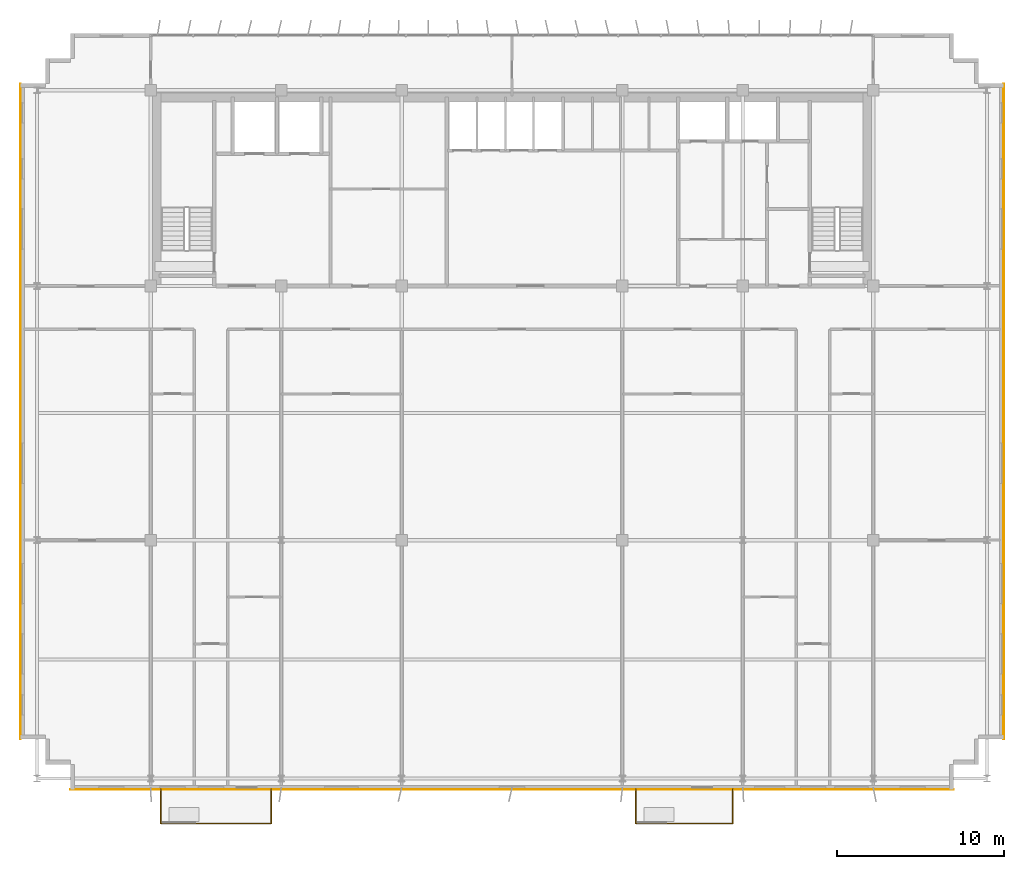
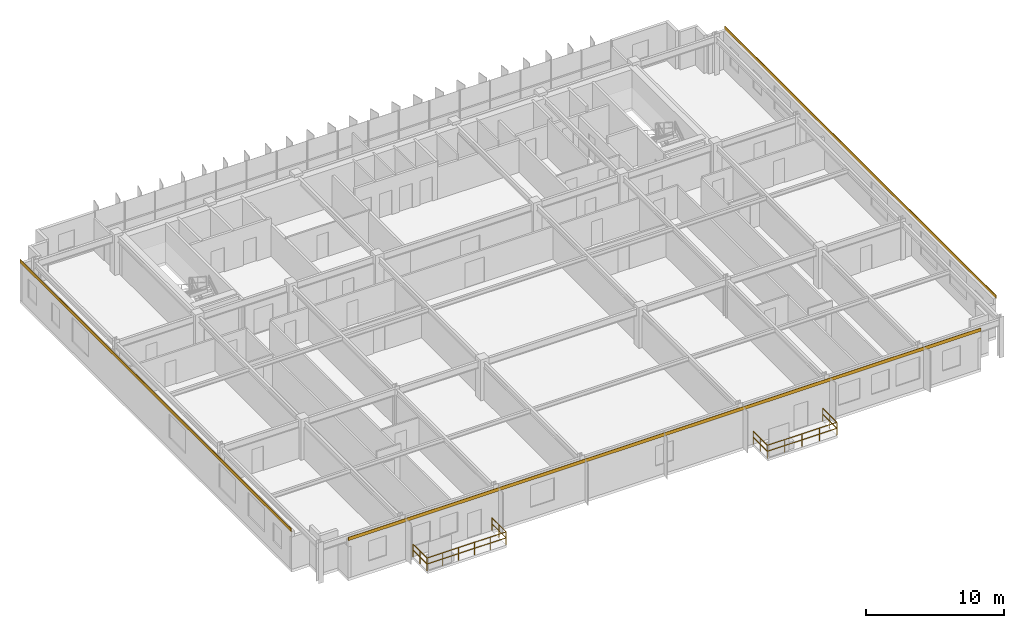
# One storey, part 19 of 20: 6 railings, 3 coverings.
"""IFC4 building model written with IfcOpenShell, lengths in metres."""

from ifc_helpers import new_model, si_unit, direction, frame, origin, origin_2d, place, context, subcontext, project, spatial, rectangle, extrude, source, transform, mapped, material, layer, layer_set, type_object, element, save


model = new_model("IFC4")

# Units and contexts
model_context = context("Model", 3, precision=1e-05, world=origin(), true_north=direction((0.0, 1.0)))
body_context = subcontext(model_context, "Body", "Model", "MODEL_VIEW")
ifc_project = project(units=[si_unit("LENGTHUNIT", "METRE"), si_unit("AREAUNIT", "SQUARE_METRE"), si_unit("VOLUMEUNIT", "CUBIC_METRE"), si_unit("PLANEANGLEUNIT", "RADIAN"), si_unit("MASSUNIT", "GRAM", prefix="KILO")], contexts=[model_context])

# Site, building, storey
site_placement = place(None, origin())
site = spatial("IfcSite", under=ifc_project, at=site_placement, CompositionType="ELEMENT")
building_placement = place(site_placement, origin())
building = spatial("IfcBuilding", under=site, at=building_placement, Name="Trelvane Seafront Commons", CompositionType="ELEMENT")
storey_placement = place(building_placement, frame((0.0, 0.0, 142.89990234375)))
storey = spatial("IfcBuildingStorey", under=building, at=storey_placement, Name="L37", CompositionType="ELEMENT", Elevation=142.89990234375)

# Railings
ifc_material_1 = material(Name="Stainless steel balustrade", Category="steel")
railing_type = type_object("IfcRailingType", Name="ARCH-RAIL-BAL1150", PredefinedType="BALUSTRADE", material=ifc_material_1)
railing_1_placement = place(storey_placement, frame((16.199951171875, 3.300048828125, 0.0)))
element("IfcRailing", 1, at=railing_1_placement, inside=storey, type_object=railing_type, Name="RL-L37-BAL0-01", PredefinedType="BALUSTRADE", context=body_context, shape_type="SweptSolid", body=[
    extrude(rectangle(XDim=0.048095703125, YDim=0.048095703125, at=origin_2d()), frame((0.0, 0.0, 1.1259765625), z_axis=(0.0, -1.0, 0.0), x_axis=(1.0, 0.0, 0.0)), (0.0, 0.0, 1.0), 2.0400390625),
    extrude(rectangle(XDim=0.048095703125, YDim=0.048095703125, at=origin_2d()), frame((0.0, 0.0, 0.597900390625), z_axis=(0.0, -1.0, 0.0), x_axis=(1.0, 0.0, 0.0)), (0.0, 0.0, 1.0), 2.0400390625),
    extrude(rectangle(XDim=0.0419921875, YDim=0.0419921875, at=origin_2d()), origin(), (0.0, 0.0, 1.0), 1.1259765625),
    extrude(rectangle(XDim=0.0419921875, YDim=0.0419921875, at=origin_2d()), frame((0.0, -1.02001953125, 0.0)), (0.0, 0.0, 1.0), 1.1259765625),
    extrude(rectangle(XDim=0.0419921875, YDim=0.0419921875, at=origin_2d()), frame((0.0, -2.0400390625, 0.0)), (0.0, 0.0, 1.0), 1.1259765625),
])
railing_2_placement = place(storey_placement, frame((16.199951171875, 1.260009765625, 0.0)))
element("IfcRailing", 2, at=railing_2_placement, inside=storey, type_object=railing_type, Name="RL-L37-BAL0-02", PredefinedType="BALUSTRADE", context=body_context, shape_type="SweptSolid", body=[
    extrude(rectangle(XDim=0.048095703125, YDim=0.048095703125, at=origin_2d()), frame((0.0, 0.0, 1.1259765625), z_axis=(1.0, 0.0, 0.0), x_axis=(0.0, 1.0, 0.0)), (0.0, 0.0, 1.0), 6.60009765625),
    extrude(rectangle(XDim=0.048095703125, YDim=0.048095703125, at=origin_2d()), frame((0.0, 0.0, 0.597900390625), z_axis=(1.0, 0.0, 0.0), x_axis=(0.0, 1.0, 0.0)), (0.0, 0.0, 1.0), 6.60009765625),
    extrude(rectangle(XDim=0.0419921875, YDim=0.0419921875, at=origin_2d()), origin(), (0.0, 0.0, 1.0), 1.1259765625),
    extrude(rectangle(XDim=0.0419921875, YDim=0.0419921875, at=origin_2d()), frame((1.320068359375, 0.0, 0.0)), (0.0, 0.0, 1.0), 1.1259765625),
    extrude(rectangle(XDim=0.0419921875, YDim=0.0419921875, at=origin_2d()), frame((2.64013671875, 0.0, 0.0)), (0.0, 0.0, 1.0), 1.1259765625),
    extrude(rectangle(XDim=0.0419921875, YDim=0.0419921875, at=origin_2d()), frame((3.9599609375, 0.0, 0.0)), (0.0, 0.0, 1.0), 1.1259765625),
    extrude(rectangle(XDim=0.0419921875, YDim=0.0419921875, at=origin_2d()), frame((5.280029296875, 0.0, 0.0)), (0.0, 0.0, 1.0), 1.1259765625),
    extrude(rectangle(XDim=0.0419921875, YDim=0.0419921875, at=origin_2d()), frame((6.60009765625, 0.0, 0.0)), (0.0, 0.0, 1.0), 1.1259765625),
])
railing_3_placement = place(storey_placement, frame((22.800048828125, 1.260009765625, 0.0)))
element("IfcRailing", 3, at=railing_3_placement, inside=storey, type_object=railing_type, Name="RL-L37-BAL0-03", PredefinedType="BALUSTRADE", context=body_context, shape_type="SweptSolid", body=[
    extrude(rectangle(XDim=0.048095703125, YDim=0.048095703125, at=origin_2d()), frame((0.0, 0.0, 1.1259765625), z_axis=(0.0, 1.0, 0.0), x_axis=(-1.0, 0.0, 0.0)), (0.0, 0.0, 1.0), 2.0400390625),
    extrude(rectangle(XDim=0.048095703125, YDim=0.048095703125, at=origin_2d()), frame((0.0, 0.0, 0.597900390625), z_axis=(0.0, 1.0, 0.0), x_axis=(-1.0, 0.0, 0.0)), (0.0, 0.0, 1.0), 2.0400390625),
    extrude(rectangle(XDim=0.0419921875, YDim=0.0419921875, at=origin_2d()), origin(), (0.0, 0.0, 1.0), 1.1259765625),
    extrude(rectangle(XDim=0.0419921875, YDim=0.0419921875, at=origin_2d()), frame((0.0, 1.02001953125, 0.0)), (0.0, 0.0, 1.0), 1.1259765625),
    extrude(rectangle(XDim=0.0419921875, YDim=0.0419921875, at=origin_2d()), frame((0.0, 2.0400390625, 0.0)), (0.0, 0.0, 1.0), 1.1259765625),
])
railing_4_placement = place(storey_placement, frame((44.60009765625, 3.300048828125, 0.0)))
element("IfcRailing", 4, at=railing_4_placement, inside=storey, type_object=railing_type, Name="RL-L37-BAL1-01", PredefinedType="BALUSTRADE", context=body_context, shape_type="SweptSolid", body=[
    extrude(rectangle(XDim=0.048095703125, YDim=0.048095703125, at=origin_2d()), frame((0.0, 0.0, 1.1259765625), z_axis=(0.0, -1.0, 0.0), x_axis=(1.0, 0.0, 0.0)), (0.0, 0.0, 1.0), 2.0400390625),
    extrude(rectangle(XDim=0.048095703125, YDim=0.048095703125, at=origin_2d()), frame((0.0, 0.0, 0.597900390625), z_axis=(0.0, -1.0, 0.0), x_axis=(1.0, 0.0, 0.0)), (0.0, 0.0, 1.0), 2.0400390625),
    extrude(rectangle(XDim=0.0419921875, YDim=0.0419921875, at=origin_2d()), origin(), (0.0, 0.0, 1.0), 1.1259765625),
    extrude(rectangle(XDim=0.0419921875, YDim=0.0419921875, at=origin_2d()), frame((0.0, -1.02001953125, 0.0)), (0.0, 0.0, 1.0), 1.1259765625),
    extrude(rectangle(XDim=0.0419921875, YDim=0.0419921875, at=origin_2d()), frame((0.0, -2.0400390625, 0.0)), (0.0, 0.0, 1.0), 1.1259765625),
])
railing_5_placement = place(storey_placement, frame((44.60009765625, 1.260009765625, 0.0)))
element("IfcRailing", 5, at=railing_5_placement, inside=storey, type_object=railing_type, Name="RL-L37-BAL1-02", PredefinedType="BALUSTRADE", context=body_context, shape_type="SweptSolid", body=[
    extrude(rectangle(XDim=0.048095703125, YDim=0.048095703125, at=origin_2d()), frame((0.0, 0.0, 1.1259765625), z_axis=(1.0, 0.0, 0.0), x_axis=(0.0, 1.0, 0.0)), (0.0, 0.0, 1.0), 5.7998046875),
    extrude(rectangle(XDim=0.048095703125, YDim=0.048095703125, at=origin_2d()), frame((0.0, 0.0, 0.597900390625), z_axis=(1.0, 0.0, 0.0), x_axis=(0.0, 1.0, 0.0)), (0.0, 0.0, 1.0), 5.7998046875),
    extrude(rectangle(XDim=0.0419921875, YDim=0.0419921875, at=origin_2d()), origin(), (0.0, 0.0, 1.0), 1.1259765625),
    extrude(rectangle(XDim=0.0419921875, YDim=0.0419921875, at=origin_2d()), frame((1.449951171875, 0.0, 0.0)), (0.0, 0.0, 1.0), 1.1259765625),
    extrude(rectangle(XDim=0.0419921875, YDim=0.0419921875, at=origin_2d()), frame((2.89990234375, 0.0, 0.0)), (0.0, 0.0, 1.0), 1.1259765625),
    extrude(rectangle(XDim=0.0419921875, YDim=0.0419921875, at=origin_2d()), frame((4.349853515625, 0.0, 0.0)), (0.0, 0.0, 1.0), 1.1259765625),
    extrude(rectangle(XDim=0.0419921875, YDim=0.0419921875, at=origin_2d()), frame((5.7998046875, 0.0, 0.0)), (0.0, 0.0, 1.0), 1.1259765625),
])
railing_6_placement = place(storey_placement, frame((50.39990234375, 1.260009765625, 0.0)))
element("IfcRailing", 6, at=railing_6_placement, inside=storey, type_object=railing_type, Name="RL-L37-BAL1-03", PredefinedType="BALUSTRADE", context=body_context, shape_type="SweptSolid", body=[
    extrude(rectangle(XDim=0.048095703125, YDim=0.048095703125, at=origin_2d()), frame((0.0, 0.0, 1.1259765625), z_axis=(0.0, 1.0, 0.0), x_axis=(-1.0, 0.0, 0.0)), (0.0, 0.0, 1.0), 2.0400390625),
    extrude(rectangle(XDim=0.048095703125, YDim=0.048095703125, at=origin_2d()), frame((0.0, 0.0, 0.597900390625), z_axis=(0.0, 1.0, 0.0), x_axis=(-1.0, 0.0, 0.0)), (0.0, 0.0, 1.0), 2.0400390625),
    extrude(rectangle(XDim=0.0419921875, YDim=0.0419921875, at=origin_2d()), origin(), (0.0, 0.0, 1.0), 1.1259765625),
    extrude(rectangle(XDim=0.0419921875, YDim=0.0419921875, at=origin_2d()), frame((0.0, 1.02001953125, 0.0)), (0.0, 0.0, 1.0), 1.1259765625),
    extrude(rectangle(XDim=0.0419921875, YDim=0.0419921875, at=origin_2d()), frame((0.0, 2.0400390625, 0.0)), (0.0, 0.0, 1.0), 1.1259765625),
])

# Coverings
ifc_material_2 = material(Name="Anodised pale-silver aluminium", Category="aluminium")
ifc_layer = layer(ifc_material_2, 0.034912109375, Name="ARCH-COV-CLAD35")
ifc_layer_set = layer_set([ifc_layer], Name="Anodised pale-silver aluminium")
covering_type = type_object("IfcCoveringType", Name="ARCH-COV-CLAD35", PredefinedType="CLADDING", material=ifc_layer_set)
shared_shape_1 = source(origin(), body_context, "Body", "SweptSolid", [
    extrude(rectangle(XDim=39.199951171875, YDim=0.034912109375, at=origin_2d()), origin(), (0.0, 0.0, 1.0), 0.2900390625),
])
for number, where, z_axis, x_axis, name in (
    (7, (7.800048828125, 25.89990234375, 3.31005859375), (0.0, 0.0, 1.0), (0.0, 1.0, 0.0), "CLD-L37-00152"),
    (8, (66.60009765625, 25.89990234375, 3.31005859375), (0.0, 0.0, 1.0), (0.0, -1.0, 0.0), "CLD-L37-00153"),
):
    element("IfcCovering", number, at=place(storey_placement, frame(where, z_axis=z_axis, x_axis=x_axis)), inside=storey, type_object=covering_type, Name=name, PredefinedType="CLADDING", context=body_context, shape_type="MappedRepresentation", body=[
        mapped(shared_shape_1, transform((0.0, 0.0, 0.0), x_axis=(1.0, 0.0, 0.0), y_axis=(0.0, 1.0, 0.0), z_axis=(0.0, 0.0, 1.0), scale=1.0)),
    ])
shared_shape_2 = source(origin(), body_context, "Body", "SweptSolid", [
    extrude(rectangle(XDim=52.800048828125, YDim=0.034912109375, at=origin_2d()), origin(), (0.0, 0.0, 1.0), 0.2900390625),
])
covering_placement = place(storey_placement, frame((37.199951171875, 3.300048828125, 3.31005859375), z_axis=(0.0, 0.0, 1.0), x_axis=(-1.0, 0.0, 0.0)))
element("IfcCovering", 9, at=covering_placement, inside=storey, type_object=covering_type, Name="CLD-L37-00154", PredefinedType="CLADDING", context=body_context, shape_type="MappedRepresentation", body=[
    mapped(shared_shape_2, transform((0.0, 0.0, 0.0), x_axis=(1.0, 0.0, 0.0), y_axis=(0.0, 1.0, 0.0), z_axis=(0.0, 0.0, 1.0), scale=1.0)),
])

save(model, "model.ifc")
